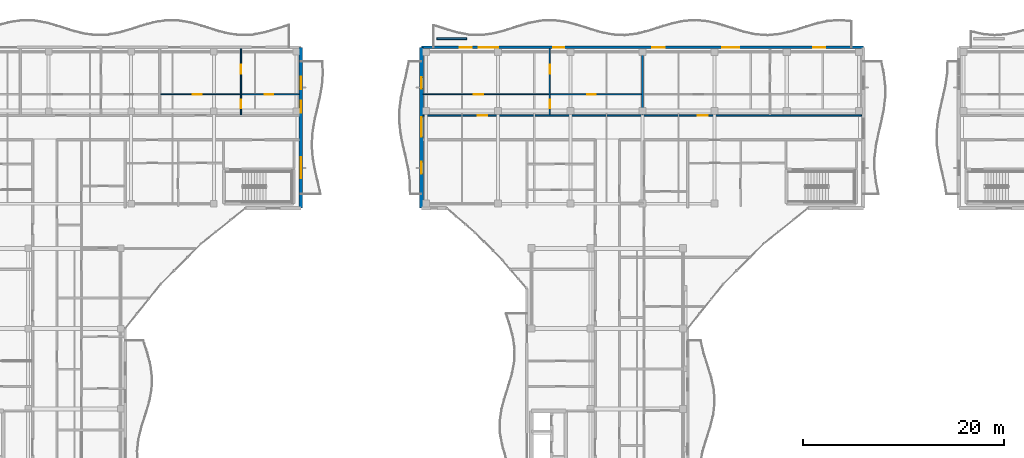
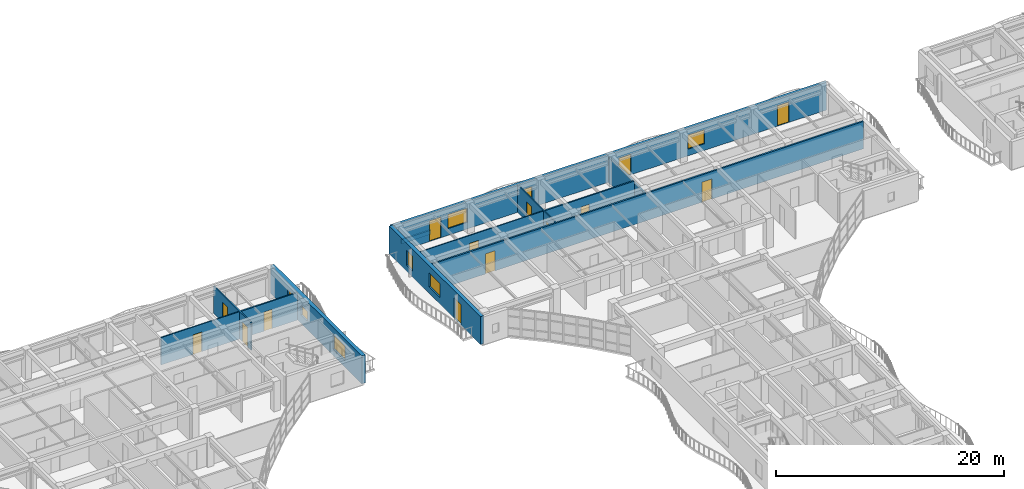
# One storey, part 56 of 89: 15 doors, 12 walls, 7 windows, 22 openings.
"""IFC4 building model written with IfcOpenShell, lengths in metres."""

from ifc_helpers import new_model, si_unit, direction, frame, frame_2d, origin, place, context, subcontext, project, spatial, rectangle, extrude, material, layer, layer_set, type_object, element, fill, save


model = new_model("IFC4")

# Units and contexts
model_context = context("Model", 3, precision=1e-05, world=origin(), true_north=direction((0.0, 1.0)))
body_context = subcontext(model_context, "Body", "Model", "MODEL_VIEW")
ifc_project = project(units=[si_unit("LENGTHUNIT", "METRE"), si_unit("AREAUNIT", "SQUARE_METRE"), si_unit("VOLUMEUNIT", "CUBIC_METRE"), si_unit("PLANEANGLEUNIT", "RADIAN"), si_unit("MASSUNIT", "GRAM", prefix="KILO")], contexts=[model_context])

# Site, building, storey
site_placement = place(None, origin())
site = spatial("IfcSite", under=ifc_project, at=site_placement, CompositionType="ELEMENT")
building_placement = place(site_placement, origin())
building = spatial("IfcBuilding", under=site, at=building_placement, Name="Keldmere Railside Commons", CompositionType="ELEMENT")
storey_placement = place(building_placement, frame((0.0, 0.0, 7.360107421875)))
storey = spatial("IfcBuildingStorey", under=building, at=storey_placement, Name="L02", CompositionType="ELEMENT", Elevation=7.360107421875)

# Wall
ifc_material_1 = material(Name="Acoustic Gypsum Board Partition", Category="gypsum")
ifc_layer_1 = layer(ifc_material_1, 0.179931640625, Name="Acoustic Demising Partition 180")
ifc_layer_set_1 = layer_set([ifc_layer_1], Name="Acoustic Gypsum Board Partition")
wall_type_1 = type_object("IfcWallType", Name="Acoustic Demising Partition 180", PredefinedType="PARTITIONING", material=ifc_layer_set_1)
wall_1_placement = place(storey_placement, frame((115.5, 109.280029296875, 0.0), z_axis=(0.0, 0.0, 1.0), x_axis=(0.0, 1.0, 0.0)))
element("IfcWall", 1, at=wall_1_placement, inside=storey, type_object=wall_type_1, Name="IW-1 IW-L02-0991", PredefinedType="PARTITIONING", context=body_context, shape_type="SweptSolid", body=[
    extrude(rectangle(XDim=6.590087890625, YDim=0.179931640625, at=frame_2d((3.294921875, 0.0))), origin(), (0.0, 0.0, 1.0), 2.679931640625),
])

# Wall, openings, doors
ifc_layer_2 = layer(ifc_material_1, 0.1201171875, Name="Apartment Interior Partition 120")
ifc_layer_set_2 = layer_set([ifc_layer_2], Name="Acoustic Gypsum Board Partition")
wall_type_2 = type_object("IfcWallType", Name="Apartment Interior Partition 120", PredefinedType="PARTITIONING", material=ifc_layer_set_2)
wall_2_placement = place(storey_placement, frame((75.530029296875, 109.280029296875, 0.0), z_axis=(0.0, 0.0, 1.0), x_axis=(0.0, 1.0, 0.0)))
wall_2 = element("IfcWall", 2, at=wall_2_placement, inside=storey, type_object=wall_type_2, Name="IW-4 IW-L02-0581", PredefinedType="PARTITIONING", context=body_context, shape_type="SweptSolid", body=[
    extrude(rectangle(XDim=6.599853515625, YDim=0.1201171875, at=frame_2d((3.2998046875, 0.0))), origin(), (0.0, 0.0, 1.0), 2.934814453125),
])
opening_1_placement = place(wall_2_placement, frame((0.656005859375, 0.0, 0.0)))
opening_1 = element("IfcOpeningElement", 3, at=opening_1_placement, cuts=wall_2, Name="Opening ID-04", PredefinedType="OPENING", context=body_context, shape_type="SweptSolid", body=[
    extrude(rectangle(XDim=0.860107421875, YDim=2.10009765625, at=frame_2d((0.43017578125, 1.050048828125))), frame((0.0, 0.070068359375, 0.0), z_axis=(0.0, -1.0, 0.0), x_axis=(1.0, 0.0, 0.0)), (0.0, 0.0, 1.0), 0.14013671875),
])
opening_2_placement = place(wall_2_placement, frame((4.097412109375, 0.0, 0.0)))
opening_2 = element("IfcOpeningElement", 4, at=opening_2_placement, cuts=wall_2, Name="Opening ID-01", PredefinedType="OPENING", context=body_context, shape_type="SweptSolid", body=[
    extrude(rectangle(XDim=0.89990234375, YDim=2.10009765625, at=frame_2d((0.449951171875, 1.050048828125))), frame((0.0, 0.070068359375, 0.0), z_axis=(0.0, -1.0, 0.0), x_axis=(1.0, 0.0, 0.0)), (0.0, 0.0, 1.0), 0.14013671875),
])
ifc_material_2 = material(Name="Engineered Oak Timber", Category="wood")
door_type_1 = type_object("IfcDoorType", Name="Apartment Bathroom Door 860x2100", OperationType="NOTDEFINED", PredefinedType="DOOR", material=ifc_material_2)
door_1_placement = place(opening_1_placement, origin())
door_1 = element("IfcDoor", 5, at=door_1_placement, inside=storey, type_object=door_type_1, Name="ID-04 IDR-L02-0475", OperationType="SINGLE_SWING_LEFT", OverallHeight=2.10009765625, OverallWidth=0.860107421875, PredefinedType="DOOR", context=body_context, shape_type="SweptSolid", body=[
    extrude(rectangle(XDim=0.860107421875, YDim=2.10009765625, at=frame_2d((0.43017578125, 1.050048828125))), frame((0.0, 0.02490234375, 0.0), z_axis=(0.0, -1.0, 0.0), x_axis=(1.0, 0.0, 0.0)), (0.0, 0.0, 1.0), 0.050048828125),
])
fill(opening_1, door_1)
door_type_2 = type_object("IfcDoorType", Name="Primary Bedroom Door 900x2100", OperationType="NOTDEFINED", PredefinedType="DOOR", material=ifc_material_2)
door_2_placement = place(opening_2_placement, origin())
door_2 = element("IfcDoor", 6, at=door_2_placement, inside=storey, type_object=door_type_2, Name="ID-01 IDR-L02-0476", OperationType="SINGLE_SWING_RIGHT", OverallHeight=2.10009765625, OverallWidth=0.89990234375, PredefinedType="DOOR", context=body_context, shape_type="SweptSolid", body=[
    extrude(rectangle(XDim=0.89990234375, YDim=2.10009765625, at=frame_2d((0.449951171875, 1.050048828125))), frame((0.0, 0.02490234375, 0.0), z_axis=(0.0, -1.0, 0.0), x_axis=(1.0, 0.0, 0.0)), (0.0, 0.0, 1.0), 0.050048828125),
])
fill(opening_2, door_2)

wall_3_placement = place(storey_placement, frame((106.280029296875, 109.280029296875, 0.0), z_axis=(0.0, 0.0, 1.0), x_axis=(0.0, 1.0, 0.0)))
wall_3 = element("IfcWall", 7, at=wall_3_placement, inside=storey, type_object=wall_type_2, Name="IW-4 IW-L02-0992", PredefinedType="PARTITIONING", context=body_context, shape_type="SweptSolid", body=[
    extrude(rectangle(XDim=6.590087890625, YDim=0.1201171875, at=frame_2d((3.294921875, 0.0))), origin(), (0.0, 0.0, 1.0), 2.934814453125),
])
opening_3_placement = place(wall_3_placement, frame((0.656005859375, 0.0, 0.0)))
opening_3 = element("IfcOpeningElement", 8, at=opening_3_placement, cuts=wall_3, Name="Opening ID-04", PredefinedType="OPENING", context=body_context, shape_type="SweptSolid", body=[
    extrude(rectangle(XDim=0.860107421875, YDim=2.10009765625, at=frame_2d((0.43017578125, 1.050048828125))), frame((0.0, 0.070068359375, 0.0), z_axis=(0.0, -1.0, 0.0), x_axis=(1.0, 0.0, 0.0)), (0.0, 0.0, 1.0), 0.14013671875),
])
opening_4_placement = place(wall_3_placement, frame((4.093017578125, 0.0, 0.0)))
opening_4 = element("IfcOpeningElement", 9, at=opening_4_placement, cuts=wall_3, Name="Opening ID-01", PredefinedType="OPENING", context=body_context, shape_type="SweptSolid", body=[
    extrude(rectangle(XDim=0.89990234375, YDim=2.10009765625, at=frame_2d((0.449951171875, 1.050048828125))), frame((0.0, 0.070068359375, 0.0), z_axis=(0.0, -1.0, 0.0), x_axis=(1.0, 0.0, 0.0)), (0.0, 0.0, 1.0), 0.14013671875),
])
door_3_placement = place(opening_3_placement, origin())
door_3 = element("IfcDoor", 10, at=door_3_placement, inside=storey, type_object=door_type_1, Name="ID-04 IDR-L02-0863", OperationType="SINGLE_SWING_LEFT", OverallHeight=2.10009765625, OverallWidth=0.860107421875, PredefinedType="DOOR", context=body_context, shape_type="SweptSolid", body=[
    extrude(rectangle(XDim=0.860107421875, YDim=2.10009765625, at=frame_2d((0.43017578125, 1.050048828125))), frame((0.0, 0.02490234375, 0.0), z_axis=(0.0, -1.0, 0.0), x_axis=(1.0, 0.0, 0.0)), (0.0, 0.0, 1.0), 0.050048828125),
])
fill(opening_3, door_3)
door_4_placement = place(opening_4_placement, origin())
door_4 = element("IfcDoor", 11, at=door_4_placement, inside=storey, type_object=door_type_2, Name="ID-01 IDR-L02-0864", OperationType="SINGLE_SWING_RIGHT", OverallHeight=2.10009765625, OverallWidth=0.89990234375, PredefinedType="DOOR", context=body_context, shape_type="SweptSolid", body=[
    extrude(rectangle(XDim=0.89990234375, YDim=2.10009765625, at=frame_2d((0.449951171875, 1.050048828125))), frame((0.0, 0.02490234375, 0.0), z_axis=(0.0, -1.0, 0.0), x_axis=(1.0, 0.0, 0.0)), (0.0, 0.0, 1.0), 0.050048828125),
])
fill(opening_4, door_4)

# Wall
ifc_material_3 = material(Name="White Precast Concrete H-35 (C35/45)", Category="concrete")
ifc_layer_3 = layer(ifc_material_3, 0.169921875, Name="Balcony Planter Kerb Wall 170")
ifc_layer_set_3 = layer_set([ifc_layer_3], Name="White Precast Concrete H-35 (C35/45)")
wall_type_3 = type_object("IfcWallType", Name="Balcony Planter Kerb Wall 170", PredefinedType="PARAPET", material=ifc_layer_set_3)
wall_4_placement = place(storey_placement, frame((95.0, 116.85009765625, 0.0), z_axis=(0.0, 0.0, 1.0), x_axis=(1.0, 0.0, 0.0)))
element("IfcWall", 12, at=wall_4_placement, inside=storey, type_object=wall_type_3, Name="PW-2 PKBB-L02-0601", PredefinedType="PARAPET", context=body_context, shape_type="SweptSolid", body=[
    extrude(rectangle(XDim=3.0, YDim=0.169921875, at=frame_2d((1.5, 0.0))), origin(), (0.0, 0.0, 1.0), 0.449951171875),
])

# Wall, opening, door
ifc_layer_4 = layer(ifc_material_1, 0.10009765625, Name="Closet Light Partition 100")
ifc_layer_set_4 = layer_set([ifc_layer_4], Name="Acoustic Gypsum Board Partition")
wall_type_4 = type_object("IfcWallType", Name="Closet Light Partition 100", PredefinedType="PARTITIONING", material=ifc_layer_set_4)
wall_5_placement = place(storey_placement, frame((67.530029296875, 111.330078125, 0.0), z_axis=(0.0, 0.0, 1.0), x_axis=(1.0, 0.0, 0.0)))
wall_5 = element("IfcWall", 13, at=wall_5_placement, inside=storey, type_object=wall_type_4, Name="IW-6 IW-L02-0583", PredefinedType="PARTITIONING", context=body_context, shape_type="SweptSolid", body=[
    extrude(rectangle(XDim=7.93994140625, YDim=0.10009765625, at=frame_2d((3.969970703125, 0.0))), origin(), (0.0, 0.0, 1.0), 2.934814453125),
])
opening_5_placement = place(wall_5_placement, frame((3.199951171875, 0.0, 0.0)))
opening_5 = element("IfcOpeningElement", 14, at=opening_5_placement, cuts=wall_5, Name="Opening ID-03", PredefinedType="OPENING", context=body_context, shape_type="SweptSolid", body=[
    extrude(rectangle(XDim=0.919921875, YDim=2.10009765625, at=frame_2d((0.4599609375, 1.050048828125))), frame((0.0, 0.06005859375, 0.0), z_axis=(0.0, -1.0, 0.0), x_axis=(1.0, 0.0, 0.0)), (0.0, 0.0, 1.0), 0.1201171875),
])
door_type_3 = type_object("IfcDoorType", Name="Kitchen Pocket-Frame Swing Door 920x2100", OperationType="NOTDEFINED", PredefinedType="DOOR", material=ifc_material_2)
door_5_placement = place(opening_5_placement, origin())
door_5 = element("IfcDoor", 15, at=door_5_placement, inside=storey, type_object=door_type_3, Name="ID-03 IDR-L02-0474", OperationType="SINGLE_SWING_RIGHT", OverallHeight=2.10009765625, OverallWidth=0.919921875, PredefinedType="DOOR", context=body_context, shape_type="SweptSolid", body=[
    extrude(rectangle(XDim=0.919921875, YDim=2.10009765625, at=frame_2d((0.4599609375, 1.050048828125))), frame((0.0, 0.02490234375, 0.0), z_axis=(0.0, -1.0, 0.0), x_axis=(1.0, 0.0, 0.0)), (0.0, 0.0, 1.0), 0.050048828125),
])
fill(opening_5, door_5)

wall_6_placement = place(storey_placement, frame((93.679931640625, 111.330078125, 0.0), z_axis=(0.0, 0.0, 1.0), x_axis=(1.0, 0.0, 0.0)))
wall_6 = element("IfcWall", 16, at=wall_6_placement, inside=storey, type_object=wall_type_4, Name="IW-6 IW-L02-0994", PredefinedType="PARTITIONING", context=body_context, shape_type="SweptSolid", body=[
    extrude(rectangle(XDim=12.5400390625, YDim=0.10009765625, at=frame_2d((6.27001953125, 0.0))), origin(), (0.0, 0.0, 1.0), 2.934814453125),
])
opening_6_placement = place(wall_6_placement, frame((5.0400390625, 0.0, 0.0)))
opening_6 = element("IfcOpeningElement", 17, at=opening_6_placement, cuts=wall_6, Name="Opening ID-03", PredefinedType="OPENING", context=body_context, shape_type="SweptSolid", body=[
    extrude(rectangle(XDim=0.919921875, YDim=2.10009765625, at=frame_2d((0.4599609375, 1.050048828125))), frame((0.0, 0.06005859375, 0.0), z_axis=(0.0, -1.0, 0.0), x_axis=(1.0, 0.0, 0.0)), (0.0, 0.0, 1.0), 0.1201171875),
])
door_6_placement = place(opening_6_placement, origin())
door_6 = element("IfcDoor", 18, at=door_6_placement, inside=storey, type_object=door_type_3, Name="ID-03 IDR-L02-0862", OperationType="SINGLE_SWING_RIGHT", OverallHeight=2.10009765625, OverallWidth=0.919921875, PredefinedType="DOOR", context=body_context, shape_type="SweptSolid", body=[
    extrude(rectangle(XDim=0.919921875, YDim=2.10009765625, at=frame_2d((0.4599609375, 1.050048828125))), frame((0.0, 0.02490234375, 0.0), z_axis=(0.0, -1.0, 0.0), x_axis=(1.0, 0.0, 0.0)), (0.0, 0.0, 1.0), 0.050048828125),
])
fill(opening_6, door_6)

# Wall, openings, doors
ifc_layer_5 = layer(ifc_material_1, 0.159912109375, Name="Corridor Fire Partition 160")
ifc_layer_set_5 = layer_set([ifc_layer_5], Name="Acoustic Gypsum Board Partition")
wall_type_5 = type_object("IfcWallType", Name="Corridor Fire Partition 160", PredefinedType="PARTITIONING", material=ifc_layer_set_5)
wall_7_placement = place(storey_placement, frame((93.679931640625, 109.199951171875, 0.0), z_axis=(0.0, 0.0, 1.0), x_axis=(1.0, 0.0, 0.0)))
wall_7 = element("IfcWall", 19, at=wall_7_placement, inside=storey, type_object=wall_type_5, Name="IW-2 IW-L02-0969", PredefinedType="PARTITIONING", context=body_context, shape_type="SweptSolid", body=[
    extrude(rectangle(XDim=43.64013671875, YDim=0.159912109375, at=frame_2d((21.820068359375, 0.0))), origin(), (0.0, 0.0, 1.0), 2.934814453125),
])
opening_7_placement = place(wall_7_placement, frame((5.409912109375, 0.0, 0.0)))
opening_7 = element("IfcOpeningElement", 20, at=opening_7_placement, cuts=wall_7, Name="Opening FD-7", PredefinedType="OPENING", context=body_context, shape_type="SweptSolid", body=[
    extrude(rectangle(XDim=0.97998046875, YDim=2.14990234375, at=frame_2d((0.489990234375, 1.074951171875))), frame((0.0, 0.08984375, 0.0), z_axis=(0.0, -1.0, 0.0), x_axis=(1.0, 0.0, 0.0)), (0.0, 0.0, 1.0), 0.179931640625),
])
opening_8_placement = place(wall_7_placement, frame((27.320068359375, 0.0, 0.0)))
opening_8 = element("IfcOpeningElement", 21, at=opening_8_placement, cuts=wall_7, Name="Opening FD-7", PredefinedType="OPENING", context=body_context, shape_type="SweptSolid", body=[
    extrude(rectangle(XDim=0.97998046875, YDim=2.14990234375, at=frame_2d((0.489990234375, 1.074951171875))), frame((0.0, 0.08984375, 0.0), z_axis=(0.0, -1.0, 0.0), x_axis=(1.0, 0.0, 0.0)), (0.0, 0.0, 1.0), 0.179931640625),
])
door_type_4 = type_object("IfcDoorType", Name="Apartment Entrance Acoustic Fire Door 980x2150", OperationType="NOTDEFINED", PredefinedType="DOOR", material=ifc_material_2)
door_7_placement = place(opening_7_placement, origin())
door_7 = element("IfcDoor", 22, at=door_7_placement, inside=storey, type_object=door_type_4, Name="FD-7 IDR-L02-0861", OperationType="SINGLE_SWING_LEFT", OverallHeight=2.14990234375, OverallWidth=0.97998046875, PredefinedType="DOOR", context=body_context, shape_type="SweptSolid", body=[
    extrude(rectangle(XDim=0.97998046875, YDim=2.14990234375, at=frame_2d((0.489990234375, 1.074951171875))), frame((0.0, 0.02490234375, 0.0), z_axis=(0.0, -1.0, 0.0), x_axis=(1.0, 0.0, 0.0)), (0.0, 0.0, 1.0), 0.050048828125),
])
fill(opening_7, door_7)
door_8_placement = place(opening_8_placement, origin())
door_8 = element("IfcDoor", 23, at=door_8_placement, inside=storey, type_object=door_type_4, Name="FD-7 IDR-L02-0866", OperationType="SINGLE_SWING_RIGHT", OverallHeight=2.14990234375, OverallWidth=0.97998046875, PredefinedType="DOOR", context=body_context, shape_type="SweptSolid", body=[
    extrude(rectangle(XDim=0.97998046875, YDim=2.14990234375, at=frame_2d((0.489990234375, 1.074951171875))), frame((0.0, 0.02490234375, 0.0), z_axis=(0.0, -1.0, 0.0), x_axis=(1.0, 0.0, 0.0)), (0.0, 0.0, 1.0), 0.050048828125),
])
fill(opening_8, door_8)

# Wall, openings, windows, door
ifc_material_4 = material(Name="Concrete H-35 (C35/45)", Category="concrete")
ifc_layer_6 = layer(ifc_material_4, 0.360107421875, Name="Exterior Shear Wall 360")
ifc_layer_set_6 = layer_set([ifc_layer_6], Name="Concrete H-35 (C35/45)")
wall_type_6 = type_object("IfcWallType", Name="Exterior Shear Wall 360", PredefinedType="SHEAR", material=ifc_layer_set_6)
wall_8_placement = place(storey_placement, frame((81.5, 116.0, 0.0), z_axis=(0.0, 0.0, 1.0), x_axis=(0.0, -1.0, 0.0)))
wall_8 = element("IfcWall", 24, at=wall_8_placement, inside=storey, type_object=wall_type_6, Name="ESW-1 EXTC-L02-0338", PredefinedType="SHEAR", context=body_context, shape_type="SweptSolid", body=[
    extrude(rectangle(XDim=16.0, YDim=0.360107421875, at=frame_2d((8.0, 0.0))), origin(), (0.0, 0.0, 1.0), 2.97998046875),
])
opening_9_placement = place(wall_8_placement, frame((2.949951171875, 0.0, 0.0)))
opening_9 = element("IfcOpeningElement", 25, at=opening_9_placement, cuts=wall_8, Name="Opening BD-01", PredefinedType="OPENING", context=body_context, shape_type="SweptSolid", body=[
    extrude(rectangle(XDim=1.199951171875, YDim=2.199951171875, at=frame_2d((0.60009765625, 1.10009765625))), frame((0.0, 0.18994140625, 0.0), z_axis=(0.0, -1.0, 0.0), x_axis=(1.0, 0.0, 0.0)), (0.0, 0.0, 1.0), 0.380126953125),
])
opening_10_placement = place(wall_8_placement, frame((5.300048828125, 0.0, 0.89990234375)))
opening_10 = element("IfcOpeningElement", 26, at=opening_10_placement, cuts=wall_8, Name="Opening WN-14", PredefinedType="OPENING", context=body_context, shape_type="SweptSolid", body=[
    extrude(rectangle(XDim=1.199951171875, YDim=1.050048828125, at=frame_2d((0.60009765625, 0.52490234375))), frame((0.0, 0.18994140625, 0.0), z_axis=(0.0, -1.0, 0.0), x_axis=(1.0, 0.0, 0.0)), (0.0, 0.0, 1.0), 0.380126953125),
])
opening_11_placement = place(wall_8_placement, frame((10.949951171875, 0.0, 0.669921875)))
opening_11 = element("IfcOpeningElement", 27, at=opening_11_placement, cuts=wall_8, Name="Opening WN-11", PredefinedType="OPENING", context=body_context, shape_type="SweptSolid", body=[
    extrude(rectangle(XDim=2.10009765625, YDim=1.550048828125, at=frame_2d((1.050048828125, 0.77490234375))), frame((0.0, 0.18994140625, 0.0), z_axis=(0.0, -1.0, 0.0), x_axis=(1.0, 0.0, 0.0)), (0.0, 0.0, 1.0), 0.380126953125),
])
ifc_material_5 = material(Name="Low-E Insulated Double Glazing", Category="glass")
window_type_1 = type_object("IfcWindowType", Name="Apartment Kitchen Ribbon Window 1200x1050", PartitioningType="SINGLE_PANEL", PredefinedType="WINDOW", material=ifc_material_5)
window_1_placement = place(opening_10_placement, origin())
window_1 = element("IfcWindow", 28, at=window_1_placement, inside=storey, type_object=window_type_1, Name="WN-14 WIN-L02-0198", OverallHeight=1.050048828125, OverallWidth=1.199951171875, PartitioningType="SINGLE_PANEL", PredefinedType="WINDOW", context=body_context, shape_type="SweptSolid", body=[
    extrude(rectangle(XDim=1.199951171875, YDim=1.050048828125, at=frame_2d((0.60009765625, 0.52490234375))), frame((0.0, 0.030029296875, 0.0), z_axis=(0.0, -1.0, 0.0), x_axis=(1.0, 0.0, 0.0)), (0.0, 0.0, 1.0), 0.06005859375),
])
fill(opening_10, window_1)
ifc_material_6 = material(Name="Thermally Broken Aluminium", Category="aluminium")
door_type_5 = type_object("IfcDoorType", Name="Apartment Living Wave-Balcony Glazed Door 1200x2200", OperationType="NOTDEFINED", PredefinedType="DOOR", material=ifc_material_6)
door_9_placement = place(opening_9_placement, origin())
door_9 = element("IfcDoor", 29, at=door_9_placement, inside=storey, type_object=door_type_5, Name="BD-01 DR-L02-0063", OperationType="SINGLE_SWING_LEFT", OverallHeight=2.199951171875, OverallWidth=1.199951171875, PredefinedType="DOOR", context=body_context, shape_type="SweptSolid", body=[
    extrude(rectangle(XDim=1.199951171875, YDim=2.199951171875, at=frame_2d((0.60009765625, 1.10009765625))), frame((0.0, 0.02490234375, 0.0), z_axis=(0.0, -1.0, 0.0), x_axis=(1.0, 0.0, 0.0)), (0.0, 0.0, 1.0), 0.050048828125),
])
fill(opening_9, door_9)
window_type_2 = type_object("IfcWindowType", Name="Studio Wide Casement Window 2100x1550", PartitioningType="SINGLE_PANEL", PredefinedType="WINDOW", material=ifc_material_5)
window_2_placement = place(opening_11_placement, origin())
window_2 = element("IfcWindow", 30, at=window_2_placement, inside=storey, type_object=window_type_2, Name="WN-11 WIN-L02-0199", OverallHeight=1.550048828125, OverallWidth=2.10009765625, PartitioningType="SINGLE_PANEL", PredefinedType="WINDOW", context=body_context, shape_type="SweptSolid", body=[
    extrude(rectangle(XDim=2.10009765625, YDim=1.550048828125, at=frame_2d((1.050048828125, 0.77490234375))), frame((0.0, 0.030029296875, 0.0), z_axis=(0.0, -1.0, 0.0), x_axis=(1.0, 0.0, 0.0)), (0.0, 0.0, 1.0), 0.06005859375),
])
fill(opening_11, window_2)

wall_9_placement = place(storey_placement, frame((93.5, 100.0, 0.0), z_axis=(0.0, 0.0, 1.0), x_axis=(0.0, 1.0, 0.0)))
wall_9 = element("IfcWall", 31, at=wall_9_placement, inside=storey, type_object=wall_type_6, Name="ESW-1 EXTB-L02-0598", PredefinedType="SHEAR", context=body_context, shape_type="SweptSolid", body=[
    extrude(rectangle(XDim=16.0, YDim=0.360107421875, at=frame_2d((8.0, 0.0))), origin(), (0.0, 0.0, 1.0), 2.97998046875),
])
opening_12_placement = place(wall_9_placement, frame((3.39990234375, 0.0, 0.0)))
opening_12 = element("IfcOpeningElement", 32, at=opening_12_placement, cuts=wall_9, Name="Opening BD-01", PredefinedType="OPENING", context=body_context, shape_type="SweptSolid", body=[
    extrude(rectangle(XDim=1.199951171875, YDim=2.199951171875, at=frame_2d((0.60009765625, 1.10009765625))), frame((0.0, 0.18994140625, 0.0), z_axis=(0.0, -1.0, 0.0), x_axis=(1.0, 0.0, 0.0)), (0.0, 0.0, 1.0), 0.380126953125),
])
opening_13_placement = place(wall_9_placement, frame((7.10009765625, 0.0, 0.719970703125)))
opening_13 = element("IfcOpeningElement", 33, at=opening_13_placement, cuts=wall_9, Name="Opening WN-38", PredefinedType="OPENING", context=body_context, shape_type="SweptSolid", body=[
    extrude(rectangle(XDim=1.949951171875, YDim=1.5, at=frame_2d((0.97509765625, 0.75))), frame((0.0, 0.18994140625, 0.0), z_axis=(0.0, -1.0, 0.0), x_axis=(1.0, 0.0, 0.0)), (0.0, 0.0, 1.0), 0.380126953125),
])
opening_14_placement = place(wall_9_placement, frame((11.89990234375, 0.0, 0.6201171875)))
opening_14 = element("IfcOpeningElement", 34, at=opening_14_placement, cuts=wall_9, Name="Opening WN-16", PredefinedType="OPENING", context=body_context, shape_type="SweptSolid", body=[
    extrude(rectangle(XDim=1.10009765625, YDim=1.60009765625, at=frame_2d((0.550048828125, 0.800048828125))), frame((0.0, 0.18994140625, 0.0), z_axis=(0.0, -1.0, 0.0), x_axis=(1.0, 0.0, 0.0)), (0.0, 0.0, 1.0), 0.380126953125),
])
window_type_3 = type_object("IfcWindowType", Name="Adaptable Apartment Wide Window 1950x1500", PartitioningType="SINGLE_PANEL", PredefinedType="WINDOW", material=ifc_material_5)
window_3_placement = place(opening_13_placement, origin())
window_3 = element("IfcWindow", 35, at=window_3_placement, inside=storey, type_object=window_type_3, Name="WN-38 WIN-L02-0393", OverallHeight=1.5, OverallWidth=1.949951171875, PartitioningType="SINGLE_PANEL", PredefinedType="WINDOW", context=body_context, shape_type="SweptSolid", body=[
    extrude(rectangle(XDim=1.949951171875, YDim=1.5, at=frame_2d((0.97509765625, 0.75))), frame((0.0, 0.030029296875, 0.0), z_axis=(0.0, -1.0, 0.0), x_axis=(1.0, 0.0, 0.0)), (0.0, 0.0, 1.0), 0.06005859375),
])
fill(opening_13, window_3)
door_10_placement = place(opening_12_placement, origin())
door_10 = element("IfcDoor", 36, at=door_10_placement, inside=storey, type_object=door_type_5, Name="BD-01 DR-L02-0142", OperationType="SINGLE_SWING_RIGHT", OverallHeight=2.199951171875, OverallWidth=1.199951171875, PredefinedType="DOOR", context=body_context, shape_type="SweptSolid", body=[
    extrude(rectangle(XDim=1.199951171875, YDim=2.199951171875, at=frame_2d((0.60009765625, 1.10009765625))), frame((0.0, 0.02490234375, 0.0), z_axis=(0.0, -1.0, 0.0), x_axis=(1.0, 0.0, 0.0)), (0.0, 0.0, 1.0), 0.050048828125),
])
fill(opening_12, door_10)
window_type_4 = type_object("IfcWindowType", Name="Corridor End Daylight Window 1100x1600", PartitioningType="SINGLE_PANEL", PredefinedType="WINDOW", material=ifc_material_5)
window_4_placement = place(opening_14_placement, origin())
window_4 = element("IfcWindow", 37, at=window_4_placement, inside=storey, type_object=window_type_4, Name="WN-16 WIN-L02-0394", OverallHeight=1.60009765625, OverallWidth=1.10009765625, PartitioningType="SINGLE_PANEL", PredefinedType="WINDOW", context=body_context, shape_type="SweptSolid", body=[
    extrude(rectangle(XDim=1.10009765625, YDim=1.60009765625, at=frame_2d((0.550048828125, 0.800048828125))), frame((0.0, 0.030029296875, 0.0), z_axis=(0.0, -1.0, 0.0), x_axis=(1.0, 0.0, 0.0)), (0.0, 0.0, 1.0), 0.06005859375),
])
fill(opening_14, window_4)

# Wall, openings, windows, doors
ifc_material_7 = material(Name="Terracotta Brick Masonry", Category="masonry")
ifc_layer_7 = layer(ifc_material_7, 0.260009765625, Name="Terracotta Cavity Wall 260")
ifc_layer_set_7 = layer_set([ifc_layer_7], Name="Terracotta Brick Masonry")
wall_type_7 = type_object("IfcWallType", Name="Terracotta Cavity Wall 260", PredefinedType="SOLIDWALL", material=ifc_layer_set_7)
wall_10_placement = place(storey_placement, frame((93.5, 116.0, 0.0), z_axis=(0.0, 0.0, 1.0), x_axis=(1.0, 0.0, 0.0)))
wall_10 = element("IfcWall", 38, at=wall_10_placement, inside=storey, type_object=wall_type_7, Name="EW-1 EXTB-L02-0597", PredefinedType="SOLIDWALL", context=body_context, shape_type="SweptSolid", body=[
    extrude(rectangle(XDim=44.0, YDim=0.260009765625, at=frame_2d((22.0, 0.0))), origin(), (0.0, 0.0, 1.0), 2.97998046875),
])
opening_15_placement = place(wall_10_placement, frame((3.800048828125, 0.0, 0.0)))
opening_15 = element("IfcOpeningElement", 39, at=opening_15_placement, cuts=wall_10, Name="Opening BD-01", PredefinedType="OPENING", context=body_context, shape_type="SweptSolid", body=[
    extrude(rectangle(XDim=1.199951171875, YDim=2.199951171875, at=frame_2d((0.60009765625, 1.10009765625))), frame((0.0, 0.139892578125, 0.0), z_axis=(0.0, -1.0, 0.0), x_axis=(1.0, 0.0, 0.0)), (0.0, 0.0, 1.0), 0.280029296875),
])
opening_16_placement = place(wall_10_placement, frame((5.699951171875, 0.0, 0.719970703125)))
opening_16 = element("IfcOpeningElement", 40, at=opening_16_placement, cuts=wall_10, Name="Opening WN-38", PredefinedType="OPENING", context=body_context, shape_type="SweptSolid", body=[
    extrude(rectangle(XDim=1.949951171875, YDim=1.5, at=frame_2d((0.97509765625, 0.75))), frame((0.0, 0.139892578125, 0.0), z_axis=(0.0, -1.0, 0.0), x_axis=(1.0, 0.0, 0.0)), (0.0, 0.0, 1.0), 0.280029296875),
])
opening_17_placement = place(wall_10_placement, frame((13.10009765625, 0.0, 0.6201171875)))
opening_17 = element("IfcOpeningElement", 41, at=opening_17_placement, cuts=wall_10, Name="Opening WN-16", PredefinedType="OPENING", context=body_context, shape_type="SweptSolid", body=[
    extrude(rectangle(XDim=1.10009765625, YDim=1.60009765625, at=frame_2d((0.550048828125, 0.800048828125))), frame((0.0, 0.139892578125, 0.0), z_axis=(0.0, -1.0, 0.0), x_axis=(1.0, 0.0, 0.0)), (0.0, 0.0, 1.0), 0.280029296875),
])
opening_18_placement = place(wall_10_placement, frame((23.0, 0.0, 0.0)))
opening_18 = element("IfcOpeningElement", 42, at=opening_18_placement, cuts=wall_10, Name="Opening BD-01", PredefinedType="OPENING", context=body_context, shape_type="SweptSolid", body=[
    extrude(rectangle(XDim=1.199951171875, YDim=2.199951171875, at=frame_2d((0.60009765625, 1.10009765625))), frame((0.0, 0.139892578125, 0.0), z_axis=(0.0, -1.0, 0.0), x_axis=(1.0, 0.0, 0.0)), (0.0, 0.0, 1.0), 0.280029296875),
])
opening_19_placement = place(wall_10_placement, frame((29.949951171875, 0.0, 0.719970703125)))
opening_19 = element("IfcOpeningElement", 43, at=opening_19_placement, cuts=wall_10, Name="Opening WN-20", PredefinedType="OPENING", context=body_context, shape_type="SweptSolid", body=[
    extrude(rectangle(XDim=1.699951171875, YDim=1.5, at=frame_2d((0.85009765625, 0.75))), frame((0.0, 0.139892578125, 0.0), z_axis=(0.0, -1.0, 0.0), x_axis=(1.0, 0.0, 0.0)), (0.0, 0.0, 1.0), 0.280029296875),
])
opening_20_placement = place(wall_10_placement, frame((39.0, 0.0, 0.0)))
opening_20 = element("IfcOpeningElement", 44, at=opening_20_placement, cuts=wall_10, Name="Opening BD-01", PredefinedType="OPENING", context=body_context, shape_type="SweptSolid", body=[
    extrude(rectangle(XDim=1.199951171875, YDim=2.199951171875, at=frame_2d((0.60009765625, 1.10009765625))), frame((0.0, 0.139892578125, 0.0), z_axis=(0.0, -1.0, 0.0), x_axis=(1.0, 0.0, 0.0)), (0.0, 0.0, 1.0), 0.280029296875),
])
window_5_placement = place(opening_16_placement, origin())
window_5 = element("IfcWindow", 45, at=window_5_placement, inside=storey, type_object=window_type_3, Name="WN-38 WIN-L02-0390", OverallHeight=1.5, OverallWidth=1.949951171875, PartitioningType="SINGLE_PANEL", PredefinedType="WINDOW", context=body_context, shape_type="SweptSolid", body=[
    extrude(rectangle(XDim=1.949951171875, YDim=1.5, at=frame_2d((0.97509765625, 0.75))), frame((0.0, 0.030029296875, 0.0), z_axis=(0.0, -1.0, 0.0), x_axis=(1.0, 0.0, 0.0)), (0.0, 0.0, 1.0), 0.06005859375),
])
fill(opening_16, window_5)
door_11_placement = place(opening_15_placement, origin())
door_11 = element("IfcDoor", 46, at=door_11_placement, inside=storey, type_object=door_type_5, Name="BD-01 DR-L02-0139", OperationType="SINGLE_SWING_LEFT", OverallHeight=2.199951171875, OverallWidth=1.199951171875, PredefinedType="DOOR", context=body_context, shape_type="SweptSolid", body=[
    extrude(rectangle(XDim=1.199951171875, YDim=2.199951171875, at=frame_2d((0.60009765625, 1.10009765625))), frame((0.0, 0.02490234375, 0.0), z_axis=(0.0, -1.0, 0.0), x_axis=(1.0, 0.0, 0.0)), (0.0, 0.0, 1.0), 0.050048828125),
])
fill(opening_15, door_11)
door_12_placement = place(opening_18_placement, origin())
door_12 = element("IfcDoor", 47, at=door_12_placement, inside=storey, type_object=door_type_5, Name="BD-01 DR-L02-0140", OperationType="SINGLE_SWING_RIGHT", OverallHeight=2.199951171875, OverallWidth=1.199951171875, PredefinedType="DOOR", context=body_context, shape_type="SweptSolid", body=[
    extrude(rectangle(XDim=1.199951171875, YDim=2.199951171875, at=frame_2d((0.60009765625, 1.10009765625))), frame((0.0, 0.02490234375, 0.0), z_axis=(0.0, -1.0, 0.0), x_axis=(1.0, 0.0, 0.0)), (0.0, 0.0, 1.0), 0.050048828125),
])
fill(opening_18, door_12)
door_13_placement = place(opening_20_placement, origin())
door_13 = element("IfcDoor", 48, at=door_13_placement, inside=storey, type_object=door_type_5, Name="BD-01 DR-L02-0141", OperationType="SINGLE_SWING_LEFT", OverallHeight=2.199951171875, OverallWidth=1.199951171875, PredefinedType="DOOR", context=body_context, shape_type="SweptSolid", body=[
    extrude(rectangle(XDim=1.199951171875, YDim=2.199951171875, at=frame_2d((0.60009765625, 1.10009765625))), frame((0.0, 0.02490234375, 0.0), z_axis=(0.0, -1.0, 0.0), x_axis=(1.0, 0.0, 0.0)), (0.0, 0.0, 1.0), 0.050048828125),
])
fill(opening_20, door_13)
window_6_placement = place(opening_17_placement, origin())
window_6 = element("IfcWindow", 49, at=window_6_placement, inside=storey, type_object=window_type_4, Name="WN-16 WIN-L02-0391", OverallHeight=1.60009765625, OverallWidth=1.10009765625, PartitioningType="SINGLE_PANEL", PredefinedType="WINDOW", context=body_context, shape_type="SweptSolid", body=[
    extrude(rectangle(XDim=1.10009765625, YDim=1.60009765625, at=frame_2d((0.550048828125, 0.800048828125))), frame((0.0, 0.030029296875, 0.0), z_axis=(0.0, -1.0, 0.0), x_axis=(1.0, 0.0, 0.0)), (0.0, 0.0, 1.0), 0.06005859375),
])
fill(opening_17, window_6)
window_type_5 = type_object("IfcWindowType", Name="Study Room Quiet Casement Window 1700x1500", PartitioningType="SINGLE_PANEL", PredefinedType="WINDOW", material=ifc_material_5)
window_7_placement = place(opening_19_placement, origin())
window_7 = element("IfcWindow", 50, at=window_7_placement, inside=storey, type_object=window_type_5, Name="WN-20 WIN-L02-0392", OverallHeight=1.5, OverallWidth=1.699951171875, PartitioningType="SINGLE_PANEL", PredefinedType="WINDOW", context=body_context, shape_type="SweptSolid", body=[
    extrude(rectangle(XDim=1.699951171875, YDim=1.5, at=frame_2d((0.85009765625, 0.75))), frame((0.0, 0.030029296875, 0.0), z_axis=(0.0, -1.0, 0.0), x_axis=(1.0, 0.0, 0.0)), (0.0, 0.0, 1.0), 0.06005859375),
])
fill(opening_19, window_7)

# Wall, opening, door
ifc_layer_8 = layer(ifc_material_1, 0.139892578125, Name="Wet-Room Sanitary Partition 140")
ifc_layer_set_8 = layer_set([ifc_layer_8], Name="Acoustic Gypsum Board Partition")
wall_type_8 = type_object("IfcWallType", Name="Wet-Room Sanitary Partition 140", PredefinedType="PARTITIONING", material=ifc_layer_set_8)
wall_11_placement = place(storey_placement, frame((75.590087890625, 111.330078125, 0.0), z_axis=(0.0, 0.0, 1.0), x_axis=(1.0, 0.0, 0.0)))
wall_11 = element("IfcWall", 51, at=wall_11_placement, inside=storey, type_object=wall_type_8, Name="IW-5 IW-L02-0582", PredefinedType="PARTITIONING", context=body_context, shape_type="SweptSolid", body=[
    extrude(rectangle(XDim=5.72998046875, YDim=0.139892578125, at=frame_2d((2.864990234375, 0.0))), origin(), (0.0, 0.0, 1.0), 2.934814453125),
])
opening_21_placement = place(wall_11_placement, frame((2.31591796875, 0.0, 0.0)))
opening_21 = element("IfcOpeningElement", 52, at=opening_21_placement, cuts=wall_11, Name="Opening ID-06", PredefinedType="OPENING", context=body_context, shape_type="SweptSolid", body=[
    extrude(rectangle(XDim=0.85009765625, YDim=2.050048828125, at=frame_2d((0.425048828125, 1.02490234375))), frame((0.0, 0.079833984375, 0.0), z_axis=(0.0, -1.0, 0.0), x_axis=(1.0, 0.0, 0.0)), (0.0, 0.0, 1.0), 0.159912109375),
])
door_type_6 = type_object("IfcDoorType", Name="Storage Closet Door 850x2050", OperationType="NOTDEFINED", PredefinedType="DOOR", material=ifc_material_2)
door_14_placement = place(opening_21_placement, origin())
door_14 = element("IfcDoor", 53, at=door_14_placement, inside=storey, type_object=door_type_6, Name="ID-06 IDR-L02-0477", OperationType="SINGLE_SWING_LEFT", OverallHeight=2.050048828125, OverallWidth=0.85009765625, PredefinedType="DOOR", context=body_context, shape_type="SweptSolid", body=[
    extrude(rectangle(XDim=0.85009765625, YDim=2.050048828125, at=frame_2d((0.425048828125, 1.02490234375))), frame((0.0, 0.02490234375, 0.0), z_axis=(0.0, -1.0, 0.0), x_axis=(1.0, 0.0, 0.0)), (0.0, 0.0, 1.0), 0.050048828125),
])
fill(opening_21, door_14)

wall_12_placement = place(storey_placement, frame((106.340087890625, 111.330078125, 0.0), z_axis=(0.0, 0.0, 1.0), x_axis=(1.0, 0.0, 0.0)))
wall_12 = element("IfcWall", 54, at=wall_12_placement, inside=storey, type_object=wall_type_8, Name="IW-5 IW-L02-0993", PredefinedType="PARTITIONING", context=body_context, shape_type="SweptSolid", body=[
    extrude(rectangle(XDim=9.06982421875, YDim=0.139892578125, at=frame_2d((4.534912109375, 0.0))), origin(), (0.0, 0.0, 1.0), 2.934814453125),
])
opening_22_placement = place(wall_12_placement, frame((3.652099609375, 0.0, 0.0)))
opening_22 = element("IfcOpeningElement", 55, at=opening_22_placement, cuts=wall_12, Name="Opening ID-06", PredefinedType="OPENING", context=body_context, shape_type="SweptSolid", body=[
    extrude(rectangle(XDim=0.85009765625, YDim=2.050048828125, at=frame_2d((0.425048828125, 1.02490234375))), frame((0.0, 0.079833984375, 0.0), z_axis=(0.0, -1.0, 0.0), x_axis=(1.0, 0.0, 0.0)), (0.0, 0.0, 1.0), 0.159912109375),
])
door_15_placement = place(opening_22_placement, origin())
door_15 = element("IfcDoor", 56, at=door_15_placement, inside=storey, type_object=door_type_6, Name="ID-06 IDR-L02-0865", OperationType="SINGLE_SWING_LEFT", OverallHeight=2.050048828125, OverallWidth=0.85009765625, PredefinedType="DOOR", context=body_context, shape_type="SweptSolid", body=[
    extrude(rectangle(XDim=0.85009765625, YDim=2.050048828125, at=frame_2d((0.425048828125, 1.02490234375))), frame((0.0, 0.02490234375, 0.0), z_axis=(0.0, -1.0, 0.0), x_axis=(1.0, 0.0, 0.0)), (0.0, 0.0, 1.0), 0.050048828125),
])
fill(opening_22, door_15)

save(model, "model.ifc")
